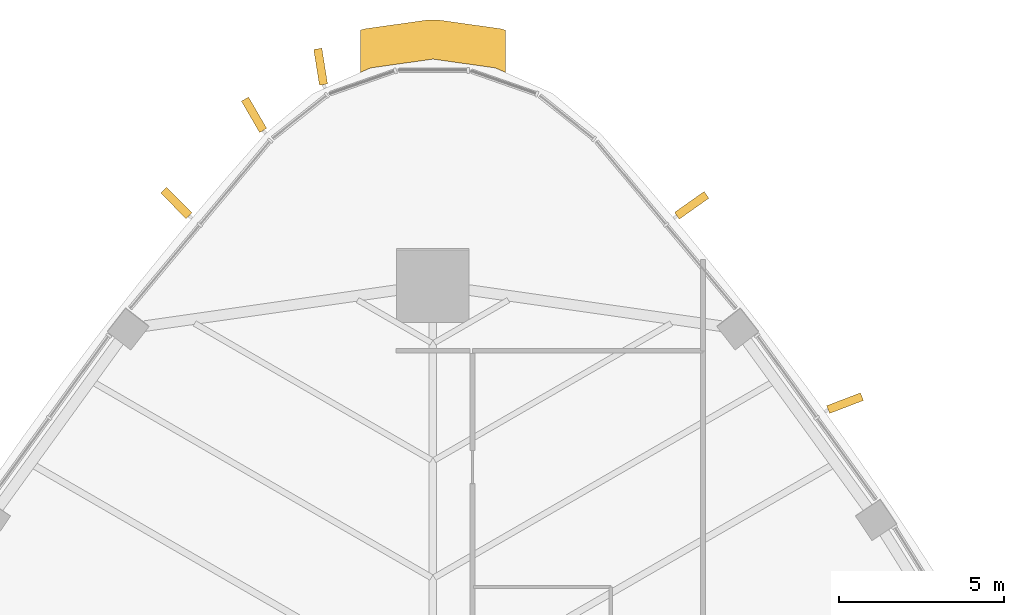
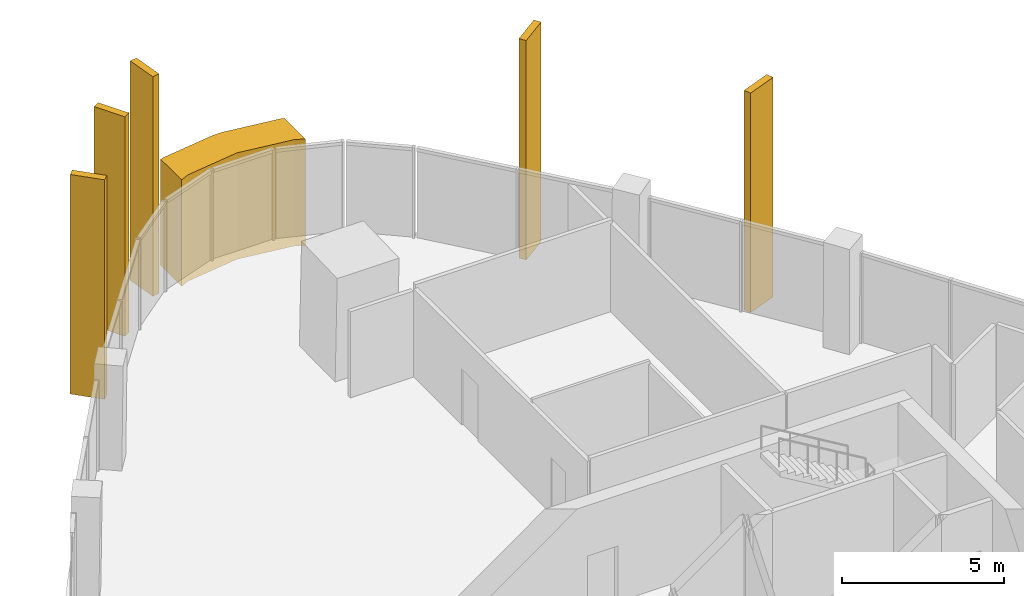
# One storey, part 18 of 19: 6 coverings.
"""IFC4 building model written with IfcOpenShell, lengths in metres."""

from ifc_helpers import new_model, si_unit, direction, frame, origin, origin_2d, place, context, subcontext, project, spatial, polyline, rectangle, outline, extrude, material, layer, layer_set, material_profile, profile_set, type_object, element, save


model = new_model("IFC4")

# Units and contexts
model_context = context("Model", 3, precision=1e-05, world=origin(), true_north=direction((0.0, 1.0)))
body_context = subcontext(model_context, "Body", "Model", "MODEL_VIEW")
ifc_project = project(units=[si_unit("LENGTHUNIT", "METRE"), si_unit("AREAUNIT", "SQUARE_METRE"), si_unit("VOLUMEUNIT", "CUBIC_METRE"), si_unit("PLANEANGLEUNIT", "RADIAN"), si_unit("MASSUNIT", "GRAM", prefix="KILO")], contexts=[model_context])

# Site, building, storey
site_placement = place(None, origin())
site = spatial("IfcSite", under=ifc_project, at=site_placement, CompositionType="ELEMENT")
building_placement = place(site_placement, origin())
building = spatial("IfcBuilding", under=site, at=building_placement, Name="Sierra Prisma Convention Tower", CompositionType="ELEMENT")
storey_placement = place(building_placement, frame((0.0, 0.0, 311.0)))
storey = spatial("IfcBuildingStorey", under=building, at=storey_placement, Name="L71", CompositionType="ELEMENT", Elevation=311.0)

# Coverings
ifc_material_1 = material(Name="Aluminium composite bronze anodised", Category="aluminium")
ifc_layer = layer(ifc_material_1, 1.199951171875)
ifc_layer_set = layer_set([ifc_layer], Name="Bronze corner pier")
covering_type_1 = type_object("IfcCoveringType", Name="Bronze corner pier", PredefinedType="CLADDING", material=ifc_layer_set)
covering_placement = place(storey_placement, frame((0.0, 0.0, -0.60009765625)))
element("IfcCovering", 1, at=covering_placement, inside=storey, type_object=covering_type_1, Name="Corner pier N L71.1", PredefinedType="CLADDING", context=body_context, shape_type="SweptSolid", body=[
    extrude(outline(polyline([(0.16748046875, 31.21728515625), (2.062744140625, 30.9501953125), (2.199951171875, 30.91064453125), (2.199951171875, 29.625732421875), (1.895263671875, 29.761962890625), (0.0, 30.029052734375), (-1.895263671875, 29.761962890625), (-2.199951171875, 29.625732421875), (-2.199951171875, 30.91064453125), (-2.062744140625, 30.9501953125), (-0.16748046875, 31.21728515625), (0.16748046875, 31.21728515625)])), origin(), (0.0, 0.0, 1.0), 4.0),
])
ifc_material_2 = material(Name="Aluminium 6063-T6 bronze anodised", Category="aluminium")
ifc_material_profile = material_profile(ifc_material_2, rectangle(XDim=1.10009765625, YDim=0.25, at=origin_2d()), Name="ALU FIN 1100x250")
ifc_profile_set = profile_set([ifc_material_profile], Name="Aluminium 6063-T6 bronze anodised")
covering_type_2 = type_object("IfcCoveringType", Name="Bronze facade fin", PredefinedType="CLADDING", material=ifc_profile_set)
for number, where, z_axis, x_axis, name in (
    (2, (12.514892578125, 19.581787109375, -0.300048828125), (0.0, 0.0, 1.0), (0.933997886509, 0.357278529996, 0.0), "Fin L71.36"),
    (3, (7.858154296875, 25.5888671875, -0.300048828125), (0.0, 0.0, 1.0), (0.816659919793, 0.577119203807, 0.0), "Fin L71.39"),
    (4, (-3.410888671875, 29.79833984375, -0.300048828125), (0.0, 0.0, 1.0), (-0.157586660052, 0.987505161796, 0.0), "Fin L71.44"),
    (5, (-5.43310546875, 28.33837890625, -0.300048828125), (0.0, 0.0, 1.0), (-0.501682990073, 0.865051546135, 0.0), "Fin L71.45"),
    (6, (-7.796142578125, 25.662109375, -0.300048828125), (0.0, 0.0, 1.0), (-0.704037322549, 0.710162973168, 0.0), "Fin L71.46"),
):
    element("IfcCovering", number, at=place(storey_placement, frame(where, z_axis=z_axis, x_axis=x_axis)), inside=storey, type_object=covering_type_2, Name=name, ObjectType="FIN", PredefinedType="CLADDING", context=body_context, shape_type="SweptSolid", body=[
        extrude(rectangle(XDim=1.10009765625, YDim=0.25, at=origin_2d()), origin(), (0.0, 0.0, 1.0), 8.25),
    ])

save(model, "model.ifc")
